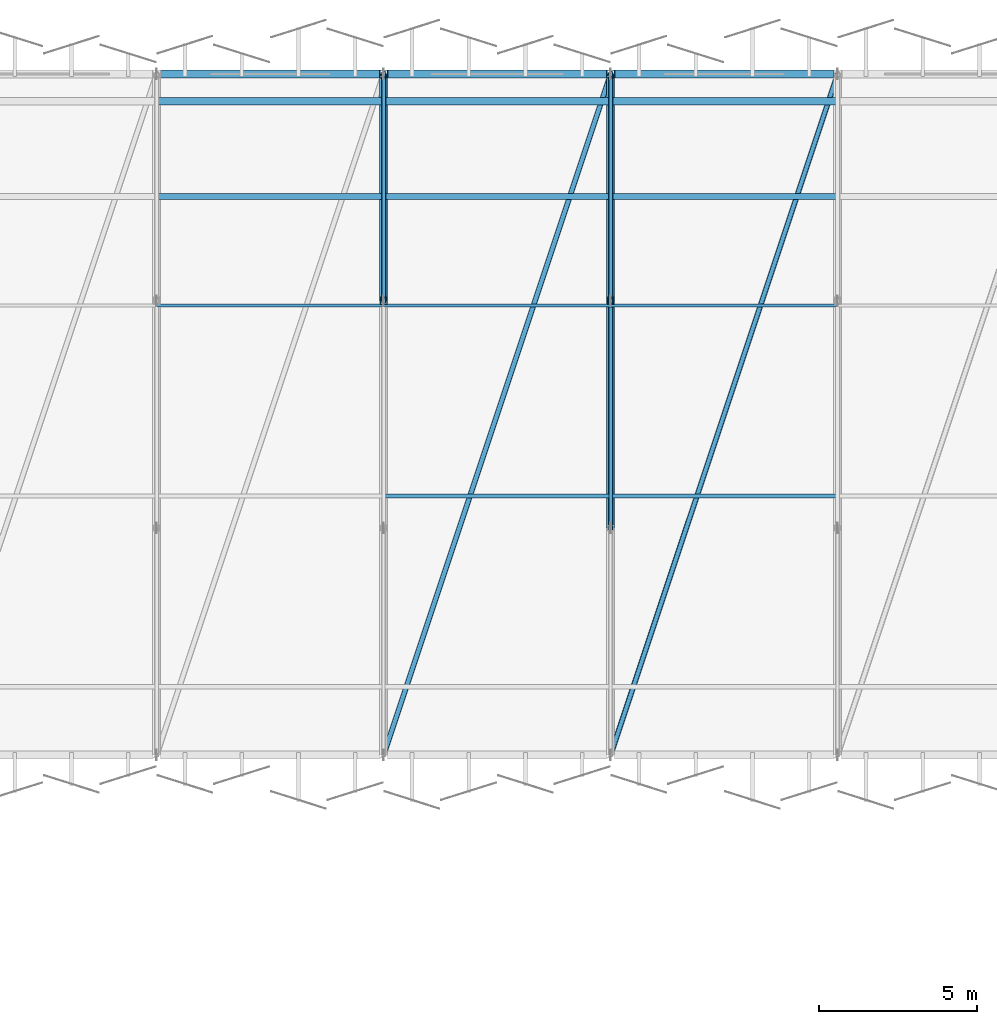
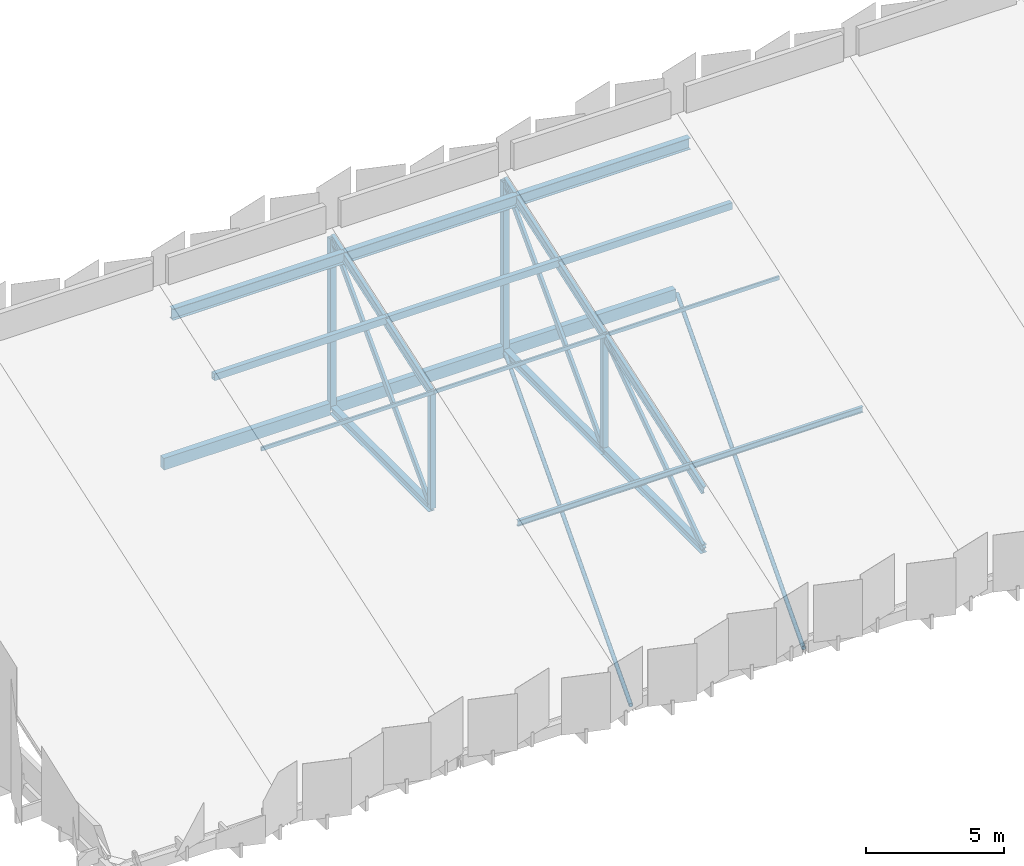
# One storey, part 12 of 59: 26 members, 3 beams.
"""IFC4 building model written with IfcOpenShell, lengths in metres."""

from ifc_helpers import new_model, si_unit, direction, frame, origin, origin_2d, place, context, subcontext, project, spatial, rectangle, hollow_rectangle, hollow_circle, i_section, extrude, material, material_profile, profile_set, type_object, element, save


model = new_model("IFC4")

# Units and contexts
model_context = context("Model", 3, precision=1e-05, world=origin(), true_north=direction((0.0, 1.0)))
body_context = subcontext(model_context, "Body", "Model", "MODEL_VIEW")
ifc_project = project(units=[si_unit("LENGTHUNIT", "METRE"), si_unit("AREAUNIT", "SQUARE_METRE"), si_unit("VOLUMEUNIT", "CUBIC_METRE"), si_unit("PLANEANGLEUNIT", "RADIAN"), si_unit("MASSUNIT", "GRAM", prefix="KILO")], contexts=[model_context])

# Site, building, storey
site_placement = place(None, origin())
site = spatial("IfcSite", under=ifc_project, at=site_placement, CompositionType="ELEMENT")
building_placement = place(site_placement, origin())
building = spatial("IfcBuilding", under=site, at=building_placement, Name="Kangsadwip Square Police Headquarters", CompositionType="ELEMENT")
storey_placement = place(building_placement, frame((0.0, 0.0, 21.60009765625)))
storey = spatial("IfcBuildingStorey", under=building, at=storey_placement, Name="L05", CompositionType="ELEMENT", Elevation=21.60009765625)

# Beams
ifc_material_1 = material(Name="Concrete M35 (35 MPa)", Category="concrete")
ifc_material_profile_1 = material_profile(ifc_material_1, rectangle(XDim=0.25, YDim=0.52001953125, at=origin_2d()), Name="RC SPN 520X250")
ifc_profile_set_1 = profile_set([ifc_material_profile_1], Name="Concrete M35 (35 MPa)")
beam_type = type_object("IfcBeamType", Name="RcSpandrel520x250", PredefinedType="SPANDREL", material=ifc_profile_set_1)
for number, where, z_axis, x_axis, name in (
    (1, (108.125, 115.199951171875, -0.47998046875), (1.0, 0.0, 0.0), (0.0, 1.0, 0.0), "Beam BM-L05-X-15-16"),
    (2, (115.324951171875, 115.199951171875, -0.47998046875), (1.0, 0.0, 0.0), (0.0, 1.0, 0.0), "Beam BM-L05-X-16-16"),
):
    element("IfcBeam", number, at=place(storey_placement, frame(where, z_axis=z_axis, x_axis=x_axis)), inside=storey, type_object=beam_type, Name=name, PredefinedType="SPANDREL", context=body_context, shape_type="SweptSolid", body=[
        extrude(rectangle(XDim=0.25, YDim=0.52001953125, at=origin_2d()), origin(), (0.0, 0.0, 1.0), 6.949951171875),
    ])
beam_placement = place(storey_placement, frame((122.52490234375, 115.199951171875, -0.47998046875), z_axis=(1.0, 0.0, 0.0), x_axis=(0.0, 1.0, 0.0)))
element("IfcBeam", 3, at=beam_placement, inside=storey, type_object=beam_type, Name="Beam BM-L05-X-17-16", PredefinedType="SPANDREL", context=body_context, shape_type="SweptSolid", body=[
    extrude(rectangle(XDim=0.25, YDim=0.52001953125, at=origin_2d()), origin(), (0.0, 0.0, 1.0), 6.9501953125),
])

# Members
ifc_material_2 = material(Name="Structural steel IS 2062 E350 (Grade 350, 350 MPa)", Category="steel")
ifc_material_profile_2 = material_profile(ifc_material_2, i_section(OverallWidth=0.125, OverallDepth=0.25, WebThickness=0.0068359375, FlangeThickness=0.012451171875, at=origin_2d()), Name="ISMB 250")
ifc_profile_set_2 = profile_set([ifc_material_profile_2], Name="Structural steel IS 2062 E350 (Grade 350, 350 MPa)")
member_type_1 = type_object("IfcMemberType", Name="RoofPurlinIsmb250", PredefinedType="PURLIN", material=ifc_profile_set_2)
member_1_placement = place(storey_placement, frame((115.199951171875, 101.80810546875, 2.5068359375), z_axis=(1.0, 0.0, 0.0), x_axis=(0.0, 1.0, 0.0)))
element("IfcMember", 4, at=member_1_placement, inside=storey, type_object=member_type_1, Name="Truss Member MEM-L05-0215", PredefinedType="PURLIN", context=body_context, shape_type="SweptSolid", body=[
    extrude(i_section(OverallWidth=0.125, OverallDepth=0.25, WebThickness=0.0068359375, FlangeThickness=0.012451171875, at=origin_2d()), origin(), (0.0, 0.0, 1.0), 7.199951171875),
])
member_2_placement = place(storey_placement, frame((122.39990234375, 101.80810546875, 2.5068359375), z_axis=(1.0, 0.0, 0.0), x_axis=(0.0, 1.0, 0.0)))
element("IfcMember", 5, at=member_2_placement, inside=storey, type_object=member_type_1, Name="Truss Member MEM-L05-0221", PredefinedType="PURLIN", context=body_context, shape_type="SweptSolid", body=[
    extrude(i_section(OverallWidth=0.125, OverallDepth=0.25, WebThickness=0.0068359375, FlangeThickness=0.012451171875, at=origin_2d()), origin(), (0.0, 0.0, 1.0), 7.2001953125),
])
ifc_material_3 = material(Name="Structural steel IS 2062 E350 (Grade 350, 350 MPa)", Category="steel")
ifc_material_profile_3 = material_profile(ifc_material_3, hollow_rectangle(XDim=0.080078125, YDim=0.159912109375, WallThickness=0.006103515625, at=origin_2d()), Name="RHS 160X80X6")
ifc_profile_set_3 = profile_set([ifc_material_profile_3], Name="Structural steel IS 2062 E350 (Grade 350, 350 MPa)")
member_type_2 = type_object("IfcMemberType", Name="RoofPurlinRhs160", PredefinedType="PURLIN", material=ifc_profile_set_3)
for number, where, z_axis, x_axis, name in (
    (6, (108.0, 107.85595703125, 4.6240234375), (1.0, 0.0, 0.0), (0.0, 1.0, 0.0), "Truss Member MEM-L05-0210"),
    (7, (115.199951171875, 107.85595703125, 4.6240234375), (1.0, 0.0, 0.0), (0.0, 1.0, 0.0), "Truss Member MEM-L05-0216"),
):
    element("IfcMember", number, at=place(storey_placement, frame(where, z_axis=z_axis, x_axis=x_axis)), inside=storey, type_object=member_type_2, Name=name, PredefinedType="PURLIN", context=body_context, shape_type="SweptSolid", body=[
        extrude(hollow_rectangle(XDim=0.080078125, YDim=0.159912109375, WallThickness=0.006103515625, at=origin_2d()), origin(), (0.0, 0.0, 1.0), 7.199951171875),
    ])
member_3_placement = place(storey_placement, frame((122.39990234375, 107.85595703125, 4.6240234375), z_axis=(1.0, 0.0, 0.0), x_axis=(0.0, 1.0, 0.0)))
element("IfcMember", 8, at=member_3_placement, inside=storey, type_object=member_type_2, Name="Truss Member MEM-L05-0222", PredefinedType="PURLIN", context=body_context, shape_type="SweptSolid", body=[
    extrude(hollow_rectangle(XDim=0.080078125, YDim=0.159912109375, WallThickness=0.006103515625, at=origin_2d()), origin(), (0.0, 0.0, 1.0), 7.2001953125),
])
ifc_material_4 = material(Name="Structural steel IS 2062 E350 (Grade 350, 350 MPa)", Category="steel")
ifc_material_profile_4 = material_profile(ifc_material_4, hollow_rectangle(XDim=0.199951171875, YDim=0.300048828125, WallThickness=0.011962890625, at=origin_2d()), Name="RHS 300X200X12")
ifc_profile_set_4 = profile_set([ifc_material_profile_4], Name="Structural steel IS 2062 E350 (Grade 350, 350 MPa)")
member_type_3 = type_object("IfcMemberType", Name="RoofPurlinRhs300", PredefinedType="PURLIN", material=ifc_profile_set_4)
for number, where, z_axis, x_axis, name in (
    (9, (108.0, 111.31201171875, 5.73779296875), (1.0, 0.0, 0.0), (0.0, 1.0, 0.0), "Truss Member MEM-L05-0211"),
    (10, (115.199951171875, 111.31201171875, 5.73779296875), (1.0, 0.0, 0.0), (0.0, 1.0, 0.0), "Truss Member MEM-L05-0217"),
):
    element("IfcMember", number, at=place(storey_placement, frame(where, z_axis=z_axis, x_axis=x_axis)), inside=storey, type_object=member_type_3, Name=name, PredefinedType="PURLIN", context=body_context, shape_type="SweptSolid", body=[
        extrude(hollow_rectangle(XDim=0.199951171875, YDim=0.300048828125, WallThickness=0.011962890625, at=origin_2d()), origin(), (0.0, 0.0, 1.0), 7.199951171875),
    ])
member_4_placement = place(storey_placement, frame((122.39990234375, 111.31201171875, 5.73779296875), z_axis=(1.0, 0.0, 0.0), x_axis=(0.0, 1.0, 0.0)))
element("IfcMember", 11, at=member_4_placement, inside=storey, type_object=member_type_3, Name="Truss Member MEM-L05-0223", PredefinedType="PURLIN", context=body_context, shape_type="SweptSolid", body=[
    extrude(hollow_rectangle(XDim=0.199951171875, YDim=0.300048828125, WallThickness=0.011962890625, at=origin_2d()), origin(), (0.0, 0.0, 1.0), 7.2001953125),
])
ifc_material_5 = material(Name="Structural steel IS 2062 E350 (Grade 350, 350 MPa)", Category="steel")
ifc_material_profile_5 = material_profile(ifc_material_5, hollow_circle(Radius=0.083984375, WallThickness=0.008056640625, at=origin_2d()), Name="CHS 168X8")
ifc_profile_set_5 = profile_set([ifc_material_profile_5], Name="Structural steel IS 2062 E350 (Grade 350, 350 MPa)")
member_type_4 = type_object("IfcMemberType", Name="RoofWindBraceChs168", PredefinedType="BRACE", material=ifc_profile_set_5)
for number, where, z_axis, x_axis, name in (
    (12, (115.199951171875, 93.60009765625, -0.550048828125), (0.316227766017, 0.948683298051, 0.0), (-0.948683298051, 0.316227766017, 0.0), "Truss Member MEM-L05-0219"),
    (13, (122.39990234375, 93.60009765625, -0.550048828125), (0.316237416539, 0.948680081155, 0.0), (-0.948680081155, 0.316237416539, 0.0), "Truss Member MEM-L05-0225"),
):
    element("IfcMember", number, at=place(storey_placement, frame(where, z_axis=z_axis, x_axis=x_axis)), inside=storey, type_object=member_type_4, Name=name, PredefinedType="BRACE", context=body_context, shape_type="SweptSolid", body=[
        extrude(hollow_circle(Radius=0.083984375, WallThickness=0.008056640625, at=origin_2d()), origin(), (0.0, 0.0, 1.0), 22.768310546875),
    ])
ifc_material_6 = material(Name="Structural steel IS 2062 E350 (Grade 350, 350 MPa)", Category="steel")
ifc_material_profile_6 = material_profile(ifc_material_6, i_section(OverallWidth=0.139892578125, OverallDepth=0.39990234375, WebThickness=0.0087890625, FlangeThickness=0.01611328125, at=origin_2d()), Name="ISMB 400")
ifc_profile_set_6 = profile_set([ifc_material_profile_6], Name="Structural steel IS 2062 E350 (Grade 350, 350 MPa)")
member_type_5 = type_object("IfcMemberType", Name="SawtoothRafterIsmb400", PredefinedType="RAFTER", material=ifc_profile_set_6)
for number, where, z_axis, x_axis, name in (
    (14, (115.199951171875, 108.0, 4.51318359375), (0.0, 0.946016781172, 0.324117647993), (-1.0, 0.0, 0.0), "Truss Member MEM-L05-0151"),
    (15, (122.39990234375, 100.800048828125, 2.046630859375), (0.0, 0.946026616665, 0.324088939275), (-1.0, 0.0, 0.0), "Truss Member MEM-L05-0162"),
    (16, (122.39990234375, 108.0, 4.51318359375), (0.0, 0.946016781172, 0.324117647993), (-1.0, 0.0, 0.0), "Truss Member MEM-L05-0163"),
):
    element("IfcMember", number, at=place(storey_placement, frame(where, z_axis=z_axis, x_axis=x_axis)), inside=storey, type_object=member_type_5, Name=name, PredefinedType="RAFTER", context=body_context, shape_type="SweptSolid", body=[
        extrude(i_section(OverallWidth=0.139892578125, OverallDepth=0.39990234375, WebThickness=0.0087890625, FlangeThickness=0.01611328125, at=origin_2d()), origin(), (0.0, 0.0, 1.0), 7.61083984375),
    ])
ifc_material_7 = material(Name="Structural steel IS 2062 E350 (Grade 350, 350 MPa)", Category="steel")
ifc_material_profile_7 = material_profile(ifc_material_7, i_section(OverallWidth=0.25, OverallDepth=0.35009765625, WebThickness=0.010009765625, FlangeThickness=0.01171875, at=origin_2d()), Name="ISHB 350")
ifc_profile_set_7 = profile_set([ifc_material_profile_7], Name="Structural steel IS 2062 E350 (Grade 350, 350 MPa)")
member_type_6 = type_object("IfcMemberType", Name="TrussBotChordIshb350", PredefinedType="CHORD", material=ifc_profile_set_7)
for number, where, z_axis, x_axis, name in (
    (17, (115.199951171875, 108.0, -0.550048828125), (0.0, 1.0, 0.0), (-1.0, 0.0, 0.0), "Truss Member MEM-L05-0148"),
    (18, (122.39990234375, 100.800048828125, -0.550048828125), (0.0, 1.0, 0.0), (-1.0, 0.0, 0.0), "Truss Member MEM-L05-0159"),
    (19, (122.39990234375, 108.0, -0.550048828125), (0.0, 1.0, 0.0), (-1.0, 0.0, 0.0), "Truss Member MEM-L05-0160"),
):
    element("IfcMember", number, at=place(storey_placement, frame(where, z_axis=z_axis, x_axis=x_axis)), inside=storey, type_object=member_type_6, Name=name, PredefinedType="CHORD", context=body_context, shape_type="SweptSolid", body=[
        extrude(i_section(OverallWidth=0.25, OverallDepth=0.35009765625, WebThickness=0.010009765625, FlangeThickness=0.01171875, at=origin_2d()), origin(), (0.0, 0.0, 1.0), 7.199951171875),
    ])
ifc_material_8 = material(Name="Structural steel IS 2062 E350 (Grade 350, 350 MPa)", Category="steel")
ifc_material_profile_8 = material_profile(ifc_material_8, hollow_rectangle(XDim=0.1201171875, YDim=0.239990234375, WallThickness=0.008056640625, at=origin_2d()), Name="RHS 240X120X8")
ifc_profile_set_8 = profile_set([ifc_material_profile_8], Name="Structural steel IS 2062 E350 (Grade 350, 350 MPa)")
member_type_7 = type_object("IfcMemberType", Name="TrussBraceRhs240", PredefinedType="BRACE", material=ifc_profile_set_8)
member_5_placement = place(storey_placement, frame((115.199951171875, 108.0, -0.550048828125), z_axis=(0.0, 0.691088022284, 0.722770603619), x_axis=(-1.0, 0.0, 0.0)))
element("IfcMember", 20, at=member_5_placement, inside=storey, type_object=member_type_7, Name="Truss Member MEM-L05-0157", PredefinedType="BRACE", context=body_context, shape_type="SweptSolid", body=[
    extrude(hollow_rectangle(XDim=0.1201171875, YDim=0.239990234375, WallThickness=0.008056640625, at=origin_2d()), origin(), (0.0, 0.0, 1.0), 10.418212890625),
])
member_6_placement = place(storey_placement, frame((122.39990234375, 100.800048828125, -0.550048828125), z_axis=(0.0, 0.817988169537, 0.575235042828), x_axis=(-1.0, 0.0, 0.0)))
element("IfcMember", 21, at=member_6_placement, inside=storey, type_object=member_type_7, Name="Truss Member MEM-L05-0168", PredefinedType="BRACE", context=body_context, shape_type="SweptSolid", body=[
    extrude(hollow_rectangle(XDim=0.1201171875, YDim=0.239990234375, WallThickness=0.008056640625, at=origin_2d()), origin(), (0.0, 0.0, 1.0), 8.802001953125),
])
member_7_placement = place(storey_placement, frame((122.39990234375, 108.0, -0.550048828125), z_axis=(0.0, 0.691088022284, 0.722770603619), x_axis=(-1.0, 0.0, 0.0)))
element("IfcMember", 22, at=member_7_placement, inside=storey, type_object=member_type_7, Name="Truss Member MEM-L05-0169", PredefinedType="BRACE", context=body_context, shape_type="SweptSolid", body=[
    extrude(hollow_rectangle(XDim=0.1201171875, YDim=0.239990234375, WallThickness=0.008056640625, at=origin_2d()), origin(), (0.0, 0.0, 1.0), 10.418212890625),
])
ifc_material_9 = material(Name="Structural steel IS 2062 E350 (Grade 350, 350 MPa)", Category="steel")
ifc_material_profile_9 = material_profile(ifc_material_9, hollow_rectangle(XDim=0.219970703125, YDim=0.219970703125, WallThickness=0.010009765625, at=origin_2d()), Name="SHS 220X220X10")
ifc_profile_set_9 = profile_set([ifc_material_profile_9], Name="Structural steel IS 2062 E350 (Grade 350, 350 MPa)")
member_type_8 = type_object("IfcMemberType", Name="TrussPostShs220", PredefinedType="POST", material=ifc_profile_set_9)
for number, where, z_axis, x_axis, name in (
    (23, (115.199951171875, 108.0, -0.550048828125), (0.0, 0.0, 1.0), (1.0, 0.0, 0.0), "Truss Member MEM-L05-0153"),
    (24, (122.39990234375, 108.0, -0.550048828125), (0.0, 0.0, 1.0), (1.0, 0.0, 0.0), "Truss Member MEM-L05-0165"),
):
    element("IfcMember", number, at=place(storey_placement, frame(where, z_axis=z_axis, x_axis=x_axis)), inside=storey, type_object=member_type_8, Name=name, PredefinedType="POST", context=body_context, shape_type="SweptSolid", body=[
        extrude(hollow_rectangle(XDim=0.219970703125, YDim=0.219970703125, WallThickness=0.010009765625, at=origin_2d()), origin(), (0.0, 0.0, 1.0), 5.063232421875),
    ])
ifc_material_10 = material(Name="Structural steel IS 2062 E350 (Grade 350, 350 MPa)", Category="steel")
ifc_material_profile_10 = material_profile(ifc_material_10, hollow_rectangle(XDim=0.25, YDim=0.25, WallThickness=0.011962890625, at=origin_2d()), Name="SHS 250X250X12")
ifc_profile_set_10 = profile_set([ifc_material_profile_10], Name="Structural steel IS 2062 E350 (Grade 350, 350 MPa)")
member_type_9 = type_object("IfcMemberType", Name="TrussPostShs250", PredefinedType="POST", material=ifc_profile_set_10)
for number, where, z_axis, x_axis, name in (
    (25, (115.199951171875, 115.199951171875, -0.550048828125), (0.0, 0.0, 1.0), (1.0, 0.0, 0.0), "Truss Member MEM-L05-0154"),
    (26, (122.39990234375, 115.199951171875, -0.550048828125), (0.0, 0.0, 1.0), (1.0, 0.0, 0.0), "Truss Member MEM-L05-0166"),
):
    element("IfcMember", number, at=place(storey_placement, frame(where, z_axis=z_axis, x_axis=x_axis)), inside=storey, type_object=member_type_9, Name=name, PredefinedType="POST", context=body_context, shape_type="SweptSolid", body=[
        extrude(hollow_rectangle(XDim=0.25, YDim=0.25, WallThickness=0.011962890625, at=origin_2d()), origin(), (0.0, 0.0, 1.0), 7.530029296875),
    ])
ifc_material_11 = material(Name="Structural steel IS 2062 E350 (Grade 350, 350 MPa)", Category="steel")
ifc_material_profile_11 = material_profile(ifc_material_11, i_section(OverallWidth=0.25, OverallDepth=0.5, WebThickness=0.010009765625, FlangeThickness=0.0146484375, at=origin_2d()), Name="ISWB 500")
ifc_profile_set_11 = profile_set([ifc_material_profile_11], Name="Structural steel IS 2062 E350 (Grade 350, 350 MPa)")
member_type_10 = type_object("IfcMemberType", Name="TrussTopChordIswb500", PredefinedType="CHORD", material=ifc_profile_set_11)
for number, where, z_axis, x_axis, name in (
    (27, (108.0, 114.3359375, 6.673828125), (1.0, 0.0, 0.0), (0.0, 1.0, 0.0), "Truss Member MEM-L05-0212"),
    (28, (115.199951171875, 114.3359375, 6.673828125), (1.0, 0.0, 0.0), (0.0, 1.0, 0.0), "Truss Member MEM-L05-0218"),
):
    element("IfcMember", number, at=place(storey_placement, frame(where, z_axis=z_axis, x_axis=x_axis)), inside=storey, type_object=member_type_10, Name=name, PredefinedType="CHORD", context=body_context, shape_type="SweptSolid", body=[
        extrude(i_section(OverallWidth=0.25, OverallDepth=0.5, WebThickness=0.010009765625, FlangeThickness=0.0146484375, at=origin_2d()), origin(), (0.0, 0.0, 1.0), 7.199951171875),
    ])
member_8_placement = place(storey_placement, frame((122.39990234375, 114.3359375, 6.673828125), z_axis=(1.0, 0.0, 0.0), x_axis=(0.0, 1.0, 0.0)))
element("IfcMember", 29, at=member_8_placement, inside=storey, type_object=member_type_10, Name="Truss Member MEM-L05-0224", PredefinedType="CHORD", context=body_context, shape_type="SweptSolid", body=[
    extrude(i_section(OverallWidth=0.25, OverallDepth=0.5, WebThickness=0.010009765625, FlangeThickness=0.0146484375, at=origin_2d()), origin(), (0.0, 0.0, 1.0), 7.2001953125),
])

save(model, "model.ifc")
